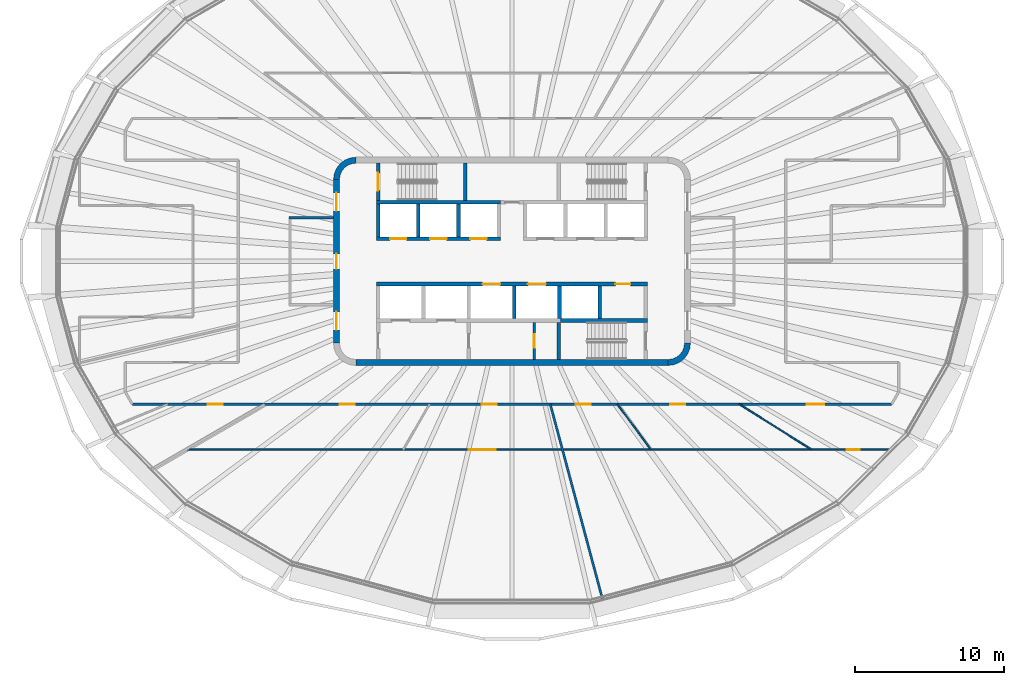
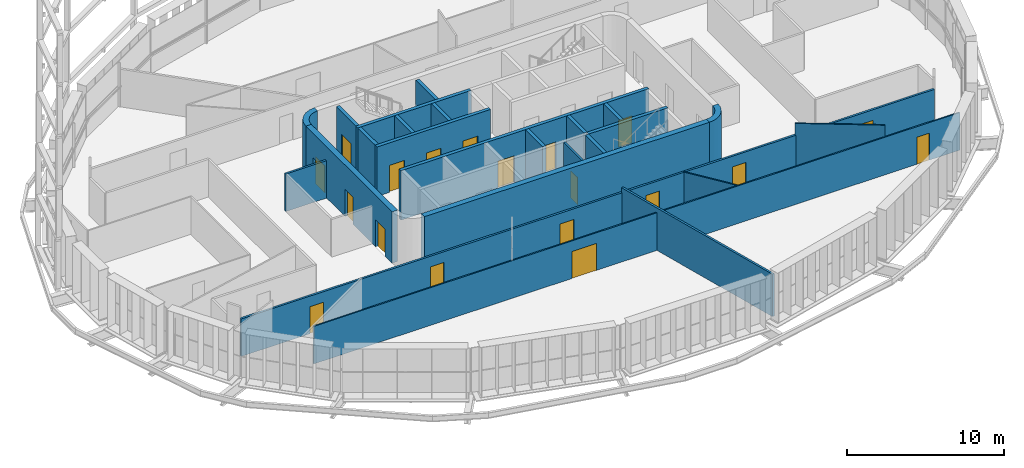
# One storey, part 10 of 20: 24 walls, 19 doors, 19 openings.
"""IFC4 building model written with IfcOpenShell, lengths in metres."""

from ifc_helpers import new_model, si_unit, direction, frame, frame_2d, origin, place, context, subcontext, project, spatial, polyline, rectangle, outline, extrude, material, layer, layer_set, type_object, element, fill, save


model = new_model("IFC4")

# Units and contexts
model_context = context("Model", 3, precision=1e-05, world=origin(), true_north=direction((0.0, 1.0)))
body_context = subcontext(model_context, "Body", "Model", "MODEL_VIEW")
ifc_project = project(units=[si_unit("LENGTHUNIT", "METRE"), si_unit("AREAUNIT", "SQUARE_METRE"), si_unit("VOLUMEUNIT", "CUBIC_METRE"), si_unit("PLANEANGLEUNIT", "RADIAN"), si_unit("MASSUNIT", "GRAM", prefix="KILO")], contexts=[model_context])

# Site, building, storey
site_placement = place(None, origin())
site = spatial("IfcSite", under=ifc_project, at=site_placement, CompositionType="ELEMENT")
building_placement = place(site_placement, origin())
building = spatial("IfcBuilding", under=site, at=building_placement, Name="Sahrelin Media Tower", CompositionType="ELEMENT")
storey_placement = place(building_placement, frame((0.0, 0.0, 213.60009765625)))
storey = spatial("IfcBuildingStorey", under=building, at=storey_placement, Name="L45", CompositionType="ELEMENT", Elevation=213.60009765625)

# Wall
ifc_material_1 = material(Name="Concrete C60/75", Category="concrete")
ifc_layer_1 = layer(ifc_material_1, 0.39990234375)
ifc_layer_set_1 = layer_set([ifc_layer_1], Name="Core wall 400")
wall_type_1 = type_object("IfcWallType", Name="Core wall 400", PredefinedType="SHEAR", material=ifc_layer_set_1)
wall_1_placement = place(storey_placement, frame((-10.5, -6.800048828125, 0.0), z_axis=(0.0, 0.0, 1.0), x_axis=(1.0, 0.0, 0.0)))
element("IfcWall", 1, at=wall_1_placement, inside=storey, type_object=wall_type_1, Name="Core wall S L45", PredefinedType="SHEAR", context=body_context, shape_type="SweptSolid", body=[
    extrude(rectangle(XDim=21.0, YDim=0.39990234375, at=frame_2d((10.5, 0.0))), origin(), (0.0, 0.0, 1.0), 4.0),
])

# Wall, openings, doors
wall_2_placement = place(storey_placement, frame((-11.800048828125, -5.5, 0.0), z_axis=(0.0, 0.0, 1.0), x_axis=(0.0, 1.0, 0.0)))
wall_2 = element("IfcWall", 2, at=wall_2_placement, inside=storey, type_object=wall_type_1, Name="Core wall W L45", PredefinedType="SHEAR", context=body_context, shape_type="SweptSolid", body=[
    extrude(rectangle(XDim=11.0, YDim=0.39990234375, at=frame_2d((5.5, 0.0))), origin(), (0.0, 0.0, 1.0), 4.0),
])
opening_1_placement = place(wall_2_placement, frame((5.0, 0.0, 0.0)))
opening_1 = element("IfcOpeningElement", 3, at=opening_1_placement, cuts=wall_2, Name="Opening L45-D09", PredefinedType="OPENING", context=body_context, shape_type="SweptSolid", body=[
    extrude(rectangle(XDim=1.0, YDim=2.10009765625, at=frame_2d((0.5, 1.050048828125))), frame((0.0, 0.199951171875, 0.0), z_axis=(0.0, -1.0, 0.0), x_axis=(1.0, 0.0, 0.0)), (0.0, 0.0, 1.0), 0.39990234375),
])
opening_2_placement = place(wall_2_placement, frame((0.89990234375, 0.0, 0.0)))
opening_2 = element("IfcOpeningElement", 4, at=opening_2_placement, cuts=wall_2, Name="Opening L45-D11", PredefinedType="OPENING", context=body_context, shape_type="SweptSolid", body=[
    extrude(rectangle(XDim=1.199951171875, YDim=2.10009765625, at=frame_2d((0.60009765625, 1.050048828125))), frame((0.0, 0.199951171875, 0.0), z_axis=(0.0, -1.0, 0.0), x_axis=(1.0, 0.0, 0.0)), (0.0, 0.0, 1.0), 0.39990234375),
])
opening_3_placement = place(wall_2_placement, frame((8.89990234375, 0.0, 0.0)))
opening_3 = element("IfcOpeningElement", 5, at=opening_3_placement, cuts=wall_2, Name="Opening L45-D12", PredefinedType="OPENING", context=body_context, shape_type="SweptSolid", body=[
    extrude(rectangle(XDim=1.199951171875, YDim=2.10009765625, at=frame_2d((0.60009765625, 1.050048828125))), frame((0.0, 0.199951171875, 0.0), z_axis=(0.0, -1.0, 0.0), x_axis=(1.0, 0.0, 0.0)), (0.0, 0.0, 1.0), 0.39990234375),
])
ifc_material_2 = material(Name="Steel fire door leaf", Category="steel")
door_type_1 = type_object("IfcDoorType", Name="Fire door 1000 x 2100 EI 60", OperationType="NOTDEFINED", PredefinedType="DOOR", material=ifc_material_2)
door_1_placement = place(opening_1_placement, origin())
door_1 = element("IfcDoor", 6, at=door_1_placement, inside=storey, type_object=door_type_1, Name="Core room door", OperationType="SINGLE_SWING_RIGHT", OverallHeight=2.10009765625, OverallWidth=1.0, PredefinedType="DOOR", context=body_context, shape_type="SweptSolid", body=[
    extrude(rectangle(XDim=1.0, YDim=2.10009765625, at=frame_2d((0.5, 1.050048828125))), frame((0.0, 0.02490234375, 0.0), z_axis=(0.0, -1.0, 0.0), x_axis=(1.0, 0.0, 0.0)), (0.0, 0.0, 1.0), 0.050048828125),
])
fill(opening_1, door_1)
door_type_2 = type_object("IfcDoorType", Name="Lobby door 1200 x 2100 EI 60", OperationType="NOTDEFINED", PredefinedType="DOOR", material=ifc_material_2)
door_2_placement = place(opening_2_placement, origin())
door_2 = element("IfcDoor", 7, at=door_2_placement, inside=storey, type_object=door_type_2, Name="Lobby door", OperationType="SINGLE_SWING_LEFT", OverallHeight=2.10009765625, OverallWidth=1.199951171875, PredefinedType="DOOR", context=body_context, shape_type="SweptSolid", body=[
    extrude(rectangle(XDim=1.199951171875, YDim=2.10009765625, at=frame_2d((0.60009765625, 1.050048828125))), frame((0.0, 0.02490234375, 0.0), z_axis=(0.0, -1.0, 0.0), x_axis=(1.0, 0.0, 0.0)), (0.0, 0.0, 1.0), 0.050048828125),
])
fill(opening_2, door_2)
door_3_placement = place(opening_3_placement, origin())
door_3 = element("IfcDoor", 8, at=door_3_placement, inside=storey, type_object=door_type_2, Name="Lobby door", OperationType="SINGLE_SWING_LEFT", OverallHeight=2.10009765625, OverallWidth=1.199951171875, PredefinedType="DOOR", context=body_context, shape_type="SweptSolid", body=[
    extrude(rectangle(XDim=1.199951171875, YDim=2.10009765625, at=frame_2d((0.60009765625, 1.050048828125))), frame((0.0, 0.02490234375, 0.0), z_axis=(0.0, -1.0, 0.0), x_axis=(1.0, 0.0, 0.0)), (0.0, 0.0, 1.0), 0.050048828125),
])
fill(opening_3, door_3)

# Walls
placement = place(storey_placement, origin())
element("IfcWall", 9, at=placement, inside=storey, type_object=wall_type_1, Name="Core wall corner NW L45", PredefinedType="SHEAR", context=body_context, shape_type="SweptSolid", body=[
    extrude(outline(polyline([(-12.0, 5.5), (-11.596435546875, 5.5), (-11.55908203125, 5.78369140625), (-11.44970703125, 6.04833984375), (-11.275390625, 6.275390625), (-11.04833984375, 6.44970703125), (-10.78369140625, 6.55908203125), (-10.5, 6.596435546875), (-10.5, 7.0), (-10.88818359375, 6.948974609375), (-11.25, 6.799072265625), (-11.560791015625, 6.560791015625), (-11.799072265625, 6.25), (-11.948974609375, 5.88818359375), (-12.0, 5.5)])), origin(), (0.0, 0.0, 1.0), 4.0),
])
element("IfcWall", 10, at=placement, inside=storey, type_object=wall_type_1, Name="Core wall corner SE L45", PredefinedType="SHEAR", context=body_context, shape_type="SweptSolid", body=[
    extrude(outline(polyline([(12.0, -5.5), (11.596435546875, -5.5), (11.55908203125, -5.78369140625), (11.44970703125, -6.04833984375), (11.275390625, -6.275390625), (11.04833984375, -6.44970703125), (10.78369140625, -6.55908203125), (10.5, -6.596435546875), (10.5, -7.0), (10.88818359375, -6.948974609375), (11.25, -6.799072265625), (11.560791015625, -6.560791015625), (11.799072265625, -6.25), (11.948974609375, -5.88818359375), (12.0, -5.5)])), origin(), (0.0, 0.0, 1.0), 4.0),
])

# Wall, opening, door
ifc_material_3 = material(Name="Fire-rated gypsum board partition")
ifc_layer_2 = layer(ifc_material_3, 0.14990234375)
ifc_layer_set_2 = layer_set([ifc_layer_2], Name="Fire-rated partition 150")
wall_type_2 = type_object("IfcWallType", Name="Fire-rated partition 150", PredefinedType="PARTITIONING", material=ifc_layer_set_2)
wall_5_placement = place(storey_placement, frame((1.5, -6.60009765625, 0.0), z_axis=(0.0, 0.0, 1.0), x_axis=(0.0, 1.0, 0.0)))
wall_5 = element("IfcWall", 11, at=wall_5_placement, inside=storey, type_object=wall_type_2, Name="Core room fire partition", PredefinedType="PARTITIONING", context=body_context, shape_type="SweptSolid", body=[
    extrude(rectangle(XDim=2.5, YDim=0.14990234375, at=frame_2d((1.25, 0.0))), origin(), (0.0, 0.0, 1.0), 3.849853515625),
])
opening_4_placement = place(wall_5_placement, frame((0.800048828125, 0.0, 0.0)))
opening_4 = element("IfcOpeningElement", 12, at=opening_4_placement, cuts=wall_5, Name="Opening L45-D07", PredefinedType="OPENING", context=body_context, shape_type="SweptSolid", body=[
    extrude(rectangle(XDim=0.89990234375, YDim=2.10009765625, at=frame_2d((0.449951171875, 1.050048828125))), frame((0.0, 0.074951171875, 0.0), z_axis=(0.0, -1.0, 0.0), x_axis=(1.0, 0.0, 0.0)), (0.0, 0.0, 1.0), 0.14990234375),
])
door_type_3 = type_object("IfcDoorType", Name="Fire door 900 x 2100 EI 60", OperationType="NOTDEFINED", PredefinedType="DOOR", material=ifc_material_2)
door_4_placement = place(opening_4_placement, origin())
door_4 = element("IfcDoor", 13, at=door_4_placement, inside=storey, type_object=door_type_3, Name="Core room door", OperationType="SINGLE_SWING_RIGHT", OverallHeight=2.10009765625, OverallWidth=0.89990234375, PredefinedType="DOOR", context=body_context, shape_type="SweptSolid", body=[
    extrude(rectangle(XDim=0.89990234375, YDim=2.10009765625, at=frame_2d((0.449951171875, 1.050048828125))), frame((0.0, 0.02490234375, 0.0), z_axis=(0.0, -1.0, 0.0), x_axis=(1.0, 0.0, 0.0)), (0.0, 0.0, 1.0), 0.050048828125),
])
fill(opening_4, door_4)

# Walls
wall_6_placement = place(storey_placement, frame((-15.0, 2.925048828125, 0.0), z_axis=(0.0, 0.0, 1.0), x_axis=(1.0, 0.0, 0.0)))
element("IfcWall", 14, at=wall_6_placement, inside=storey, type_object=wall_type_2, Name="Core room fire partition", PredefinedType="PARTITIONING", context=body_context, shape_type="SweptSolid", body=[
    extrude(rectangle(XDim=3.0, YDim=0.14990234375, at=frame_2d((1.5, 0.0))), origin(), (0.0, 0.0, 1.0), 2.918212890625),
])
wall_7_placement = place(storey_placement, frame((2.572021484375, -9.60009765625, 0.0), z_axis=(0.0, 0.0, 1.0), x_axis=(0.258850664236, -0.965917353413, 0.0)))
element("IfcWall", 15, at=wall_7_placement, inside=storey, type_object=wall_type_2, Name="Wall", PredefinedType="PARTITIONING", context=body_context, shape_type="SweptSolid", body=[
    extrude(rectangle(XDim=13.632568359375, YDim=0.14990234375, at=frame_2d((6.81640625, 0.0))), origin(), (0.0, 0.0, 1.0), 3.301513671875),
])

# Wall, openings, doors
wall_8_placement = place(storey_placement, frame((-25.52099609375, -9.60009765625, 0.0), z_axis=(0.0, 0.0, 1.0), x_axis=(1.0, 0.0, 0.0)))
wall_8 = element("IfcWall", 16, at=wall_8_placement, inside=storey, type_object=wall_type_2, Name="Wall", PredefinedType="PARTITIONING", context=body_context, shape_type="SweptSolid", body=[
    extrude(rectangle(XDim=51.0419921875, YDim=0.14990234375, at=frame_2d((25.52099609375, 0.0))), origin(), (0.0, 0.0, 1.0), 2.927001953125),
])
opening_5_placement = place(wall_8_placement, frame((5.072998046875, 0.0, 0.0)))
opening_5 = element("IfcOpeningElement", 17, at=opening_5_placement, cuts=wall_8, Name="Opening L45-D22", PredefinedType="OPENING", context=body_context, shape_type="SweptSolid", body=[
    extrude(rectangle(XDim=1.0, YDim=2.10009765625, at=frame_2d((0.5, 1.050048828125))), frame((0.0, 0.074951171875, 0.0), z_axis=(0.0, -1.0, 0.0), x_axis=(1.0, 0.0, 0.0)), (0.0, 0.0, 1.0), 0.14990234375),
])
opening_6_placement = place(wall_8_placement, frame((13.935546875, 0.0, 0.0)))
opening_6 = element("IfcOpeningElement", 18, at=opening_6_placement, cuts=wall_8, Name="Opening L45-D24", PredefinedType="OPENING", context=body_context, shape_type="SweptSolid", body=[
    extrude(rectangle(XDim=1.0, YDim=2.10009765625, at=frame_2d((0.5, 1.050048828125))), frame((0.0, 0.074951171875, 0.0), z_axis=(0.0, -1.0, 0.0), x_axis=(1.0, 0.0, 0.0)), (0.0, 0.0, 1.0), 0.14990234375),
])
opening_7_placement = place(wall_8_placement, frame((23.4853515625, 0.0, 0.0)))
opening_7 = element("IfcOpeningElement", 19, at=opening_7_placement, cuts=wall_8, Name="Opening L45-D25", PredefinedType="OPENING", context=body_context, shape_type="SweptSolid", body=[
    extrude(rectangle(XDim=1.0, YDim=2.10009765625, at=frame_2d((0.5, 1.050048828125))), frame((0.0, 0.074951171875, 0.0), z_axis=(0.0, -1.0, 0.0), x_axis=(1.0, 0.0, 0.0)), (0.0, 0.0, 1.0), 0.14990234375),
])
opening_8_placement = place(wall_8_placement, frame((29.79931640625, 0.0, 0.0)))
opening_8 = element("IfcOpeningElement", 20, at=opening_8_placement, cuts=wall_8, Name="Opening L45-D27", PredefinedType="OPENING", context=body_context, shape_type="SweptSolid", body=[
    extrude(rectangle(XDim=1.0, YDim=2.10009765625, at=frame_2d((0.5, 1.050048828125))), frame((0.0, 0.074951171875, 0.0), z_axis=(0.0, -1.0, 0.0), x_axis=(1.0, 0.0, 0.0)), (0.0, 0.0, 1.0), 0.14990234375),
])
opening_9_placement = place(wall_8_placement, frame((36.151611328125, 0.0, 0.0)))
opening_9 = element("IfcOpeningElement", 21, at=opening_9_placement, cuts=wall_8, Name="Opening L45-D28", PredefinedType="OPENING", context=body_context, shape_type="SweptSolid", body=[
    extrude(rectangle(XDim=1.0, YDim=2.10009765625, at=frame_2d((0.5, 1.050048828125))), frame((0.0, 0.074951171875, 0.0), z_axis=(0.0, -1.0, 0.0), x_axis=(1.0, 0.0, 0.0)), (0.0, 0.0, 1.0), 0.14990234375),
])
opening_10_placement = place(wall_8_placement, frame((45.320556640625, 0.0, 0.0)))
opening_10 = element("IfcOpeningElement", 22, at=opening_10_placement, cuts=wall_8, Name="Opening L45-D29", PredefinedType="OPENING", context=body_context, shape_type="SweptSolid", body=[
    extrude(rectangle(XDim=1.199951171875, YDim=2.10009765625, at=frame_2d((0.60009765625, 1.050048828125))), frame((0.0, 0.074951171875, 0.0), z_axis=(0.0, -1.0, 0.0), x_axis=(1.0, 0.0, 0.0)), (0.0, 0.0, 1.0), 0.14990234375),
])
door_5_placement = place(opening_5_placement, origin())
door_5 = element("IfcDoor", 23, at=door_5_placement, inside=storey, type_object=door_type_1, Name="Fire door", OperationType="SINGLE_SWING_RIGHT", OverallHeight=2.10009765625, OverallWidth=1.0, PredefinedType="DOOR", context=body_context, shape_type="SweptSolid", body=[
    extrude(rectangle(XDim=1.0, YDim=2.10009765625, at=frame_2d((0.5, 1.050048828125))), frame((0.0, 0.02490234375, 0.0), z_axis=(0.0, -1.0, 0.0), x_axis=(1.0, 0.0, 0.0)), (0.0, 0.0, 1.0), 0.050048828125),
])
fill(opening_5, door_5)
door_6_placement = place(opening_6_placement, origin())
door_6 = element("IfcDoor", 24, at=door_6_placement, inside=storey, type_object=door_type_1, Name="Fire door", OperationType="SINGLE_SWING_RIGHT", OverallHeight=2.10009765625, OverallWidth=1.0, PredefinedType="DOOR", context=body_context, shape_type="SweptSolid", body=[
    extrude(rectangle(XDim=1.0, YDim=2.10009765625, at=frame_2d((0.5, 1.050048828125))), frame((0.0, 0.02490234375, 0.0), z_axis=(0.0, -1.0, 0.0), x_axis=(1.0, 0.0, 0.0)), (0.0, 0.0, 1.0), 0.050048828125),
])
fill(opening_6, door_6)
door_7_placement = place(opening_7_placement, origin())
door_7 = element("IfcDoor", 25, at=door_7_placement, inside=storey, type_object=door_type_1, Name="Fire door", OperationType="SINGLE_SWING_LEFT", OverallHeight=2.10009765625, OverallWidth=1.0, PredefinedType="DOOR", context=body_context, shape_type="SweptSolid", body=[
    extrude(rectangle(XDim=1.0, YDim=2.10009765625, at=frame_2d((0.5, 1.050048828125))), frame((0.0, 0.02490234375, 0.0), z_axis=(0.0, -1.0, 0.0), x_axis=(1.0, 0.0, 0.0)), (0.0, 0.0, 1.0), 0.050048828125),
])
fill(opening_7, door_7)
door_8_placement = place(opening_8_placement, origin())
door_8 = element("IfcDoor", 26, at=door_8_placement, inside=storey, type_object=door_type_1, Name="Fire door", OperationType="SINGLE_SWING_LEFT", OverallHeight=2.10009765625, OverallWidth=1.0, PredefinedType="DOOR", context=body_context, shape_type="SweptSolid", body=[
    extrude(rectangle(XDim=1.0, YDim=2.10009765625, at=frame_2d((0.5, 1.050048828125))), frame((0.0, 0.02490234375, 0.0), z_axis=(0.0, -1.0, 0.0), x_axis=(1.0, 0.0, 0.0)), (0.0, 0.0, 1.0), 0.050048828125),
])
fill(opening_8, door_8)
door_9_placement = place(opening_9_placement, origin())
door_9 = element("IfcDoor", 27, at=door_9_placement, inside=storey, type_object=door_type_1, Name="Fire door", OperationType="SINGLE_SWING_LEFT", OverallHeight=2.10009765625, OverallWidth=1.0, PredefinedType="DOOR", context=body_context, shape_type="SweptSolid", body=[
    extrude(rectangle(XDim=1.0, YDim=2.10009765625, at=frame_2d((0.5, 1.050048828125))), frame((0.0, 0.02490234375, 0.0), z_axis=(0.0, -1.0, 0.0), x_axis=(1.0, 0.0, 0.0)), (0.0, 0.0, 1.0), 0.050048828125),
])
fill(opening_9, door_9)
door_type_4 = type_object("IfcDoorType", Name="Service double door 1200 x 2100 EI 60", OperationType="DOUBLE_DOOR_SINGLE_SWING", PredefinedType="DOOR", material=ifc_material_2)
door_10_placement = place(opening_10_placement, origin())
door_10 = element("IfcDoor", 28, at=door_10_placement, inside=storey, type_object=door_type_4, Name="Service double door", OperationType="DOUBLE_DOOR_SINGLE_SWING", OverallHeight=2.10009765625, OverallWidth=1.199951171875, PredefinedType="DOOR", context=body_context, shape_type="SweptSolid", body=[
    extrude(rectangle(XDim=1.199951171875, YDim=2.10009765625, at=frame_2d((0.60009765625, 1.050048828125))), frame((0.0, 0.02490234375, 0.0), z_axis=(0.0, -1.0, 0.0), x_axis=(1.0, 0.0, 0.0)), (0.0, 0.0, 1.0), 0.050048828125),
])
fill(opening_10, door_10)

ifc_layer_3 = layer(ifc_material_1, 0.25)
ifc_layer_set_3 = layer_set([ifc_layer_3], Name="Lift shaft wall 250")
wall_type_3 = type_object("IfcWallType", Name="Lift shaft wall 250", PredefinedType="SOLIDWALL", material=ifc_layer_set_3)
wall_9_placement = place(storey_placement, frame((-9.125, 1.52490234375, 0.0), z_axis=(0.0, 0.0, 1.0), x_axis=(1.0, 0.0, 0.0)))
wall_9 = element("IfcWall", 29, at=wall_9_placement, inside=storey, type_object=wall_type_3, Name="Lift shaft wall", PredefinedType="SOLIDWALL", context=body_context, shape_type="SweptSolid", body=[
    extrude(rectangle(XDim=8.35009765625, YDim=0.25, at=frame_2d((4.175048828125, 0.0))), origin(), (0.0, 0.0, 1.0), 3.849853515625),
])
opening_11_placement = place(wall_9_placement, frame((0.925048828125, 0.0, 0.0)))
opening_11 = element("IfcOpeningElement", 30, at=opening_11_placement, cuts=wall_9, Name="Opening L45-LD-HR1", PredefinedType="OPENING", context=body_context, shape_type="SweptSolid", body=[
    extrude(rectangle(XDim=1.10009765625, YDim=2.10009765625, at=frame_2d((0.550048828125, 1.050048828125))), frame((0.0, 0.125, 0.0), z_axis=(0.0, -1.0, 0.0), x_axis=(1.0, 0.0, 0.0)), (0.0, 0.0, 1.0), 0.25),
])
opening_12_placement = place(wall_9_placement, frame((3.625, 0.0, 0.0)))
opening_12 = element("IfcOpeningElement", 31, at=opening_12_placement, cuts=wall_9, Name="Opening L45-LD-HR2", PredefinedType="OPENING", context=body_context, shape_type="SweptSolid", body=[
    extrude(rectangle(XDim=1.10009765625, YDim=2.10009765625, at=frame_2d((0.550048828125, 1.050048828125))), frame((0.0, 0.125, 0.0), z_axis=(0.0, -1.0, 0.0), x_axis=(1.0, 0.0, 0.0)), (0.0, 0.0, 1.0), 0.25),
])
opening_13_placement = place(wall_9_placement, frame((6.324951171875, 0.0, 0.0)))
opening_13 = element("IfcOpeningElement", 32, at=opening_13_placement, cuts=wall_9, Name="Opening L45-LD-HR3", PredefinedType="OPENING", context=body_context, shape_type="SweptSolid", body=[
    extrude(rectangle(XDim=1.10009765625, YDim=2.10009765625, at=frame_2d((0.550048828125, 1.050048828125))), frame((0.0, 0.125, 0.0), z_axis=(0.0, -1.0, 0.0), x_axis=(1.0, 0.0, 0.0)), (0.0, 0.0, 1.0), 0.25),
])
ifc_material_4 = material(Name="Stainless steel", Category="steel")
door_type_5 = type_object("IfcDoorType", Name="Lift landing door 1100 x 2100 EI 120", OperationType="DOUBLE_DOOR_SLIDING", PredefinedType="DOOR", material=ifc_material_4)
door_11_placement = place(opening_11_placement, origin())
door_11 = element("IfcDoor", 33, at=door_11_placement, inside=storey, type_object=door_type_5, Name="Lift landing door HR1", OperationType="DOUBLE_DOOR_SLIDING", OverallHeight=2.10009765625, OverallWidth=1.10009765625, PredefinedType="DOOR", context=body_context, shape_type="SweptSolid", body=[
    extrude(rectangle(XDim=1.10009765625, YDim=2.10009765625, at=frame_2d((0.550048828125, 1.050048828125))), frame((0.0, 0.02490234375, 0.0), z_axis=(0.0, -1.0, 0.0), x_axis=(1.0, 0.0, 0.0)), (0.0, 0.0, 1.0), 0.050048828125),
])
fill(opening_11, door_11)
door_12_placement = place(opening_12_placement, origin())
door_12 = element("IfcDoor", 34, at=door_12_placement, inside=storey, type_object=door_type_5, Name="Lift landing door HR2", OperationType="DOUBLE_DOOR_SLIDING", OverallHeight=2.10009765625, OverallWidth=1.10009765625, PredefinedType="DOOR", context=body_context, shape_type="SweptSolid", body=[
    extrude(rectangle(XDim=1.10009765625, YDim=2.10009765625, at=frame_2d((0.550048828125, 1.050048828125))), frame((0.0, 0.02490234375, 0.0), z_axis=(0.0, -1.0, 0.0), x_axis=(1.0, 0.0, 0.0)), (0.0, 0.0, 1.0), 0.050048828125),
])
fill(opening_12, door_12)
door_13_placement = place(opening_13_placement, origin())
door_13 = element("IfcDoor", 35, at=door_13_placement, inside=storey, type_object=door_type_5, Name="Lift landing door HR3", OperationType="DOUBLE_DOOR_SLIDING", OverallHeight=2.10009765625, OverallWidth=1.10009765625, PredefinedType="DOOR", context=body_context, shape_type="SweptSolid", body=[
    extrude(rectangle(XDim=1.10009765625, YDim=2.10009765625, at=frame_2d((0.550048828125, 1.050048828125))), frame((0.0, 0.02490234375, 0.0), z_axis=(0.0, -1.0, 0.0), x_axis=(1.0, 0.0, 0.0)), (0.0, 0.0, 1.0), 0.050048828125),
])
fill(opening_13, door_13)

# Walls
wall_10_placement = place(storey_placement, frame((-9.125, 3.97509765625, 0.0), z_axis=(0.0, 0.0, 1.0), x_axis=(1.0, 0.0, 0.0)))
element("IfcWall", 36, at=wall_10_placement, inside=storey, type_object=wall_type_3, Name="Lift shaft wall", PredefinedType="SOLIDWALL", context=body_context, shape_type="SweptSolid", body=[
    extrude(rectangle(XDim=8.35009765625, YDim=0.25, at=frame_2d((4.175048828125, 0.0))), origin(), (0.0, 0.0, 1.0), 3.849853515625),
])
for number, where, z_axis, x_axis, name in (
    (37, (-9.0, 1.64990234375, 0.0), (0.0, 0.0, 1.0), (0.0, 1.0, 0.0), "Lift shaft wall"),
    (38, (-6.300048828125, 1.64990234375, 0.0), (0.0, 0.0, 1.0), (0.0, 1.0, 0.0), "Lift shaft wall"),
    (39, (-3.60009765625, 1.64990234375, 0.0), (0.0, 0.0, 1.0), (0.0, 1.0, 0.0), "Lift shaft wall"),
):
    element("IfcWall", number, at=place(storey_placement, frame(where, z_axis=z_axis, x_axis=x_axis)), inside=storey, type_object=wall_type_3, Name=name, PredefinedType="SOLIDWALL", context=body_context, shape_type="SweptSolid", body=[
        extrude(rectangle(XDim=2.2001953125, YDim=0.25, at=frame_2d((1.10009765625, 0.0))), origin(), (0.0, 0.0, 1.0), 3.849853515625),
    ])

# Wall, openings, doors
wall_11_placement = place(storey_placement, frame((-9.125, -1.52490234375, 0.0), z_axis=(0.0, 0.0, 1.0), x_axis=(1.0, 0.0, 0.0)))
wall_11 = element("IfcWall", 40, at=wall_11_placement, inside=storey, type_object=wall_type_3, Name="Lift shaft wall", PredefinedType="SOLIDWALL", context=body_context, shape_type="SweptSolid", body=[
    extrude(rectangle(XDim=18.25, YDim=0.25, at=frame_2d((9.125, 0.0))), origin(), (0.0, 0.0, 1.0), 3.849853515625),
])
opening_14_placement = place(wall_11_placement, frame((7.14990234375, 0.0, 0.0)))
opening_14 = element("IfcOpeningElement", 41, at=opening_14_placement, cuts=wall_11, Name="Opening L45-LD-SV1", PredefinedType="OPENING", context=body_context, shape_type="SweptSolid", body=[
    extrude(rectangle(XDim=1.199951171875, YDim=2.10009765625, at=frame_2d((0.60009765625, 1.050048828125))), frame((0.0, 0.125, 0.0), z_axis=(0.0, -1.0, 0.0), x_axis=(1.0, 0.0, 0.0)), (0.0, 0.0, 1.0), 0.25),
])
opening_15_placement = place(wall_11_placement, frame((10.199951171875, 0.0, 0.0)))
opening_15 = element("IfcOpeningElement", 42, at=opening_15_placement, cuts=wall_11, Name="Opening L45-LD-SV2", PredefinedType="OPENING", context=body_context, shape_type="SweptSolid", body=[
    extrude(rectangle(XDim=1.199951171875, YDim=2.10009765625, at=frame_2d((0.60009765625, 1.050048828125))), frame((0.0, 0.125, 0.0), z_axis=(0.0, -1.0, 0.0), x_axis=(1.0, 0.0, 0.0)), (0.0, 0.0, 1.0), 0.25),
])
opening_16_placement = place(wall_11_placement, frame((16.074951171875, 0.0, 0.0)))
opening_16 = element("IfcOpeningElement", 43, at=opening_16_placement, cuts=wall_11, Name="Opening L45-D08", PredefinedType="OPENING", context=body_context, shape_type="SweptSolid", body=[
    extrude(rectangle(XDim=1.0, YDim=2.10009765625, at=frame_2d((0.5, 1.050048828125))), frame((0.0, 0.125, 0.0), z_axis=(0.0, -1.0, 0.0), x_axis=(1.0, 0.0, 0.0)), (0.0, 0.0, 1.0), 0.25),
])
door_14_placement = place(opening_16_placement, origin())
door_14 = element("IfcDoor", 44, at=door_14_placement, inside=storey, type_object=door_type_1, Name="Core room door", OperationType="SINGLE_SWING_RIGHT", OverallHeight=2.10009765625, OverallWidth=1.0, PredefinedType="DOOR", context=body_context, shape_type="SweptSolid", body=[
    extrude(rectangle(XDim=1.0, YDim=2.10009765625, at=frame_2d((0.5, 1.050048828125))), frame((0.0, 0.02490234375, 0.0), z_axis=(0.0, -1.0, 0.0), x_axis=(1.0, 0.0, 0.0)), (0.0, 0.0, 1.0), 0.050048828125),
])
fill(opening_16, door_14)
door_type_6 = type_object("IfcDoorType", Name="Lift landing door 1200 x 2100 EI 120", OperationType="DOUBLE_DOOR_SLIDING", PredefinedType="DOOR", material=ifc_material_4)
door_15_placement = place(opening_14_placement, origin())
door_15 = element("IfcDoor", 45, at=door_15_placement, inside=storey, type_object=door_type_6, Name="Lift landing door SV1", OperationType="DOUBLE_DOOR_SLIDING", OverallHeight=2.10009765625, OverallWidth=1.199951171875, PredefinedType="DOOR", context=body_context, shape_type="SweptSolid", body=[
    extrude(rectangle(XDim=1.199951171875, YDim=2.10009765625, at=frame_2d((0.60009765625, 1.050048828125))), frame((0.0, 0.02490234375, 0.0), z_axis=(0.0, -1.0, 0.0), x_axis=(1.0, 0.0, 0.0)), (0.0, 0.0, 1.0), 0.050048828125),
])
fill(opening_14, door_15)
door_16_placement = place(opening_15_placement, origin())
door_16 = element("IfcDoor", 46, at=door_16_placement, inside=storey, type_object=door_type_6, Name="Lift landing door SV2", OperationType="DOUBLE_DOOR_SLIDING", OverallHeight=2.10009765625, OverallWidth=1.199951171875, PredefinedType="DOOR", context=body_context, shape_type="SweptSolid", body=[
    extrude(rectangle(XDim=1.199951171875, YDim=2.10009765625, at=frame_2d((0.60009765625, 1.050048828125))), frame((0.0, 0.02490234375, 0.0), z_axis=(0.0, -1.0, 0.0), x_axis=(1.0, 0.0, 0.0)), (0.0, 0.0, 1.0), 0.050048828125),
])
fill(opening_15, door_16)

# Walls
wall_12_placement = place(storey_placement, frame((3.27490234375, -3.97509765625, 0.0), z_axis=(0.0, 0.0, 1.0), x_axis=(1.0, 0.0, 0.0)))
element("IfcWall", 47, at=wall_12_placement, inside=storey, type_object=wall_type_3, Name="Lift shaft wall", PredefinedType="SOLIDWALL", context=body_context, shape_type="SweptSolid", body=[
    extrude(rectangle(XDim=5.85009765625, YDim=0.25, at=frame_2d((2.925048828125, 0.0))), origin(), (0.0, 0.0, 1.0), 3.849853515625),
])
for number, where, z_axis, x_axis, name in (
    (48, (0.14990234375, -3.85009765625, 0.0), (0.0, 0.0, 1.0), (0.0, 1.0, 0.0), "Lift shaft wall"),
    (49, (3.199951171875, -3.85009765625, 0.0), (0.0, 0.0, 1.0), (0.0, 1.0, 0.0), "Lift shaft wall"),
    (50, (5.89990234375, -3.85009765625, 0.0), (0.0, 0.0, 1.0), (0.0, 1.0, 0.0), "Lift shaft wall"),
):
    element("IfcWall", number, at=place(storey_placement, frame(where, z_axis=z_axis, x_axis=x_axis)), inside=storey, type_object=wall_type_3, Name=name, PredefinedType="SOLIDWALL", context=body_context, shape_type="SweptSolid", body=[
        extrude(rectangle(XDim=2.2001953125, YDim=0.25, at=frame_2d((1.10009765625, 0.0))), origin(), (0.0, 0.0, 1.0), 3.849853515625),
    ])
ifc_material_5 = material(Name="Gypsum board partition")
ifc_layer_4 = layer(ifc_material_5, 0.10009765625)
ifc_layer_set_4 = layer_set([ifc_layer_4], Name="Partition 100")
wall_type_4 = type_object("IfcWallType", Name="Partition 100", PredefinedType="PARTITIONING", material=ifc_layer_set_4)
wall_13_placement = place(storey_placement, frame((7.0849609375, -9.60009765625, 0.0), z_axis=(0.0, 0.0, 1.0), x_axis=(0.593787976906, -0.80462154985, 0.0)))
element("IfcWall", 51, at=wall_13_placement, inside=storey, type_object=wall_type_4, Name="Wall", PredefinedType="PARTITIONING", context=body_context, shape_type="SweptSolid", body=[
    extrude(rectangle(XDim=3.802734375, YDim=0.10009765625, at=frame_2d((1.9013671875, 0.0))), origin(), (0.0, 0.0, 1.0), 2.927001953125),
])
wall_14_placement = place(storey_placement, frame((15.278076171875, -9.60009765625, 0.0), z_axis=(0.0, 0.0, 1.0), x_axis=(0.84673434941, -0.532015922252, 0.0)))
element("IfcWall", 52, at=wall_14_placement, inside=storey, type_object=wall_type_4, Name="Wall", PredefinedType="PARTITIONING", context=body_context, shape_type="SweptSolid", body=[
    extrude(rectangle(XDim=5.75146484375, YDim=0.10009765625, at=frame_2d((2.875732421875, 0.0))), origin(), (0.0, 0.0, 1.0), 3.849853515625),
])

# Wall, openings, doors
wall_15_placement = place(storey_placement, frame((-21.927978515625, -12.659912109375, 0.0), z_axis=(0.0, 0.0, 1.0), x_axis=(1.0, 0.0, 0.0)))
wall_15 = element("IfcWall", 53, at=wall_15_placement, inside=storey, type_object=wall_type_4, Name="Wall", PredefinedType="PARTITIONING", context=body_context, shape_type="SweptSolid", body=[
    extrude(rectangle(XDim=47.554931640625, YDim=0.10009765625, at=frame_2d((23.77734375, 0.0))), origin(), (0.0, 0.0, 1.0), 2.927001953125),
])
opening_17_placement = place(wall_15_placement, frame((19.01953125, 0.0, 0.0)))
opening_17 = element("IfcOpeningElement", 54, at=opening_17_placement, cuts=wall_15, Name="Opening L45-D26", PredefinedType="OPENING", context=body_context, shape_type="SweptSolid", body=[
    extrude(rectangle(XDim=1.800048828125, YDim=2.10009765625, at=frame_2d((0.89990234375, 1.050048828125))), frame((0.0, 0.050048828125, 0.0), z_axis=(0.0, -1.0, 0.0), x_axis=(1.0, 0.0, 0.0)), (0.0, 0.0, 1.0), 0.10009765625),
])
opening_18_placement = place(wall_15_placement, frame((44.416748046875, 0.0, 0.0)))
opening_18 = element("IfcOpeningElement", 55, at=opening_18_placement, cuts=wall_15, Name="Opening L45-D30", PredefinedType="OPENING", context=body_context, shape_type="SweptSolid", body=[
    extrude(rectangle(XDim=0.89990234375, YDim=2.10009765625, at=frame_2d((0.449951171875, 1.050048828125))), frame((0.0, 0.050048828125, 0.0), z_axis=(0.0, -1.0, 0.0), x_axis=(1.0, 0.0, 0.0)), (0.0, 0.0, 1.0), 0.10009765625),
])
ifc_material_6 = material(Name="Timber door leaf", Category="wood")
door_type_7 = type_object("IfcDoorType", Name="Double door 1800 x 2100", OperationType="DOUBLE_DOOR_SINGLE_SWING", PredefinedType="DOOR", material=ifc_material_6)
door_17_placement = place(opening_17_placement, origin())
door_17 = element("IfcDoor", 56, at=door_17_placement, inside=storey, type_object=door_type_7, Name="Double door", OperationType="DOUBLE_DOOR_SINGLE_SWING", OverallHeight=2.10009765625, OverallWidth=1.800048828125, PredefinedType="DOOR", context=body_context, shape_type="SweptSolid", body=[
    extrude(rectangle(XDim=1.800048828125, YDim=2.10009765625, at=frame_2d((0.89990234375, 1.050048828125))), frame((0.0, 0.02490234375, 0.0), z_axis=(0.0, -1.0, 0.0), x_axis=(1.0, 0.0, 0.0)), (0.0, 0.0, 1.0), 0.050048828125),
])
fill(opening_17, door_17)
door_type_8 = type_object("IfcDoorType", Name="Single door 900 x 2100", OperationType="NOTDEFINED", PredefinedType="DOOR", material=ifc_material_6)
door_18_placement = place(opening_18_placement, origin())
door_18 = element("IfcDoor", 57, at=door_18_placement, inside=storey, type_object=door_type_8, Name="Single door", OperationType="SINGLE_SWING_LEFT", OverallHeight=2.10009765625, OverallWidth=0.89990234375, PredefinedType="DOOR", context=body_context, shape_type="SweptSolid", body=[
    extrude(rectangle(XDim=0.89990234375, YDim=2.10009765625, at=frame_2d((0.449951171875, 1.050048828125))), frame((0.0, 0.02490234375, 0.0), z_axis=(0.0, -1.0, 0.0), x_axis=(1.0, 0.0, 0.0)), (0.0, 0.0, 1.0), 0.050048828125),
])
fill(opening_18, door_18)

# Wall, opening, door
ifc_layer_5 = layer(ifc_material_1, 0.25)
ifc_layer_set_5 = layer_set([ifc_layer_5], Name="Stair enclosure wall 250")
wall_type_5 = type_object("IfcWallType", Name="Stair enclosure wall 250", PredefinedType="SOLIDWALL", material=ifc_layer_set_5)
wall_16_placement = place(storey_placement, frame((-9.0, 4.10009765625, 0.0), z_axis=(0.0, 0.0, 1.0), x_axis=(0.0, 1.0, 0.0)))
wall_16 = element("IfcWall", 58, at=wall_16_placement, inside=storey, type_object=wall_type_5, Name="Stair enclosure wall", PredefinedType="SOLIDWALL", context=body_context, shape_type="SweptSolid", body=[
    extrude(rectangle(XDim=2.5, YDim=0.25, at=frame_2d((1.25, 0.0))), origin(), (0.0, 0.0, 1.0), 3.849853515625),
])
opening_19_placement = place(wall_16_placement, frame((0.64990234375, 0.0, 0.0)))
opening_19 = element("IfcOpeningElement", 59, at=opening_19_placement, cuts=wall_16, Name="Opening L45-D01", PredefinedType="OPENING", context=body_context, shape_type="SweptSolid", body=[
    extrude(rectangle(XDim=1.199951171875, YDim=2.10009765625, at=frame_2d((0.60009765625, 1.050048828125))), frame((0.0, 0.125, 0.0), z_axis=(0.0, -1.0, 0.0), x_axis=(1.0, 0.0, 0.0)), (0.0, 0.0, 1.0), 0.25),
])
door_type_9 = type_object("IfcDoorType", Name="Stair door 1200 x 2100 EI 120", OperationType="NOTDEFINED", PredefinedType="DOOR", material=ifc_material_2)
door_19_placement = place(opening_19_placement, origin())
door_19 = element("IfcDoor", 60, at=door_19_placement, inside=storey, type_object=door_type_9, Name="Stair door ST1", OperationType="SINGLE_SWING_RIGHT", OverallHeight=2.10009765625, OverallWidth=1.199951171875, PredefinedType="DOOR", context=body_context, shape_type="SweptSolid", body=[
    extrude(rectangle(XDim=1.199951171875, YDim=2.10009765625, at=frame_2d((0.60009765625, 1.050048828125))), frame((0.0, 0.02490234375, 0.0), z_axis=(0.0, -1.0, 0.0), x_axis=(1.0, 0.0, 0.0)), (0.0, 0.0, 1.0), 0.050048828125),
])
fill(opening_19, door_19)

# Walls
for number, where, z_axis, x_axis, name in (
    (61, (-3.14990234375, 4.10009765625, 0.0), (0.0, 0.0, 1.0), (0.0, 1.0, 0.0), "Stair enclosure wall"),
    (62, (3.14990234375, -6.60009765625, 0.0), (0.0, 0.0, 1.0), (0.0, 1.0, 0.0), "Stair enclosure wall"),
):
    element("IfcWall", number, at=place(storey_placement, frame(where, z_axis=z_axis, x_axis=x_axis)), inside=storey, type_object=wall_type_5, Name=name, PredefinedType="SOLIDWALL", context=body_context, shape_type="SweptSolid", body=[
        extrude(rectangle(XDim=2.5, YDim=0.25, at=frame_2d((1.25, 0.0))), origin(), (0.0, 0.0, 1.0), 3.849853515625),
    ])

save(model, "model.ifc")
